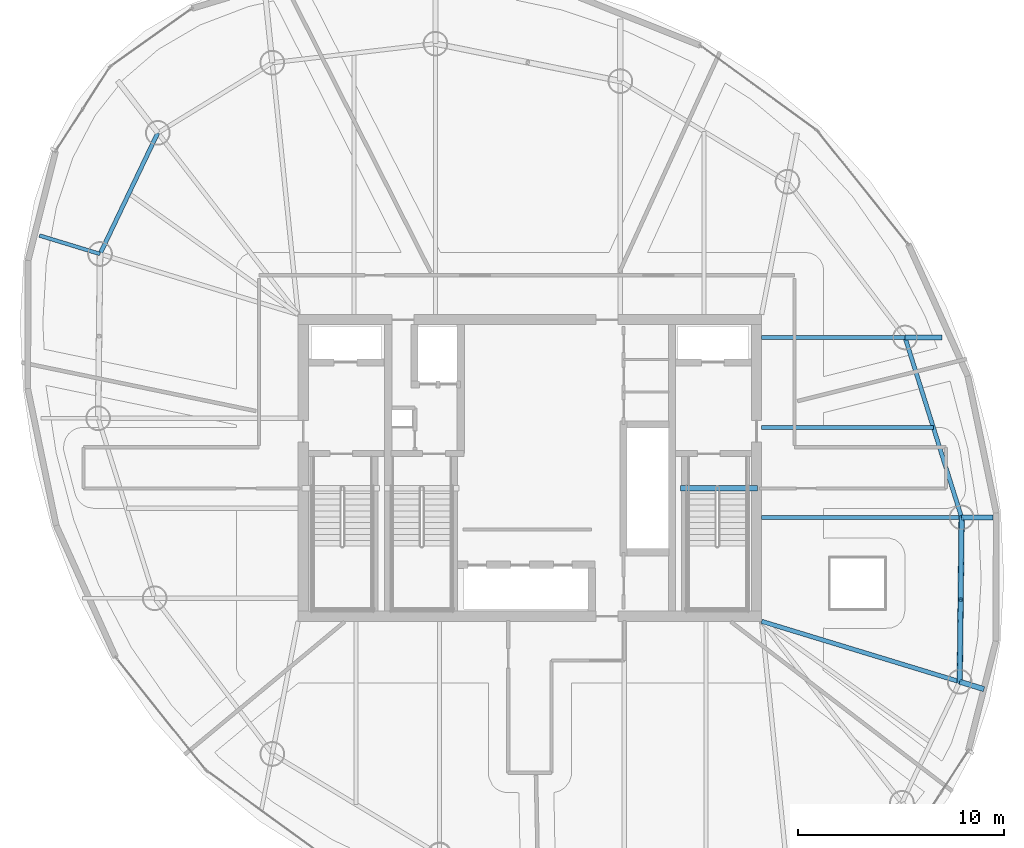
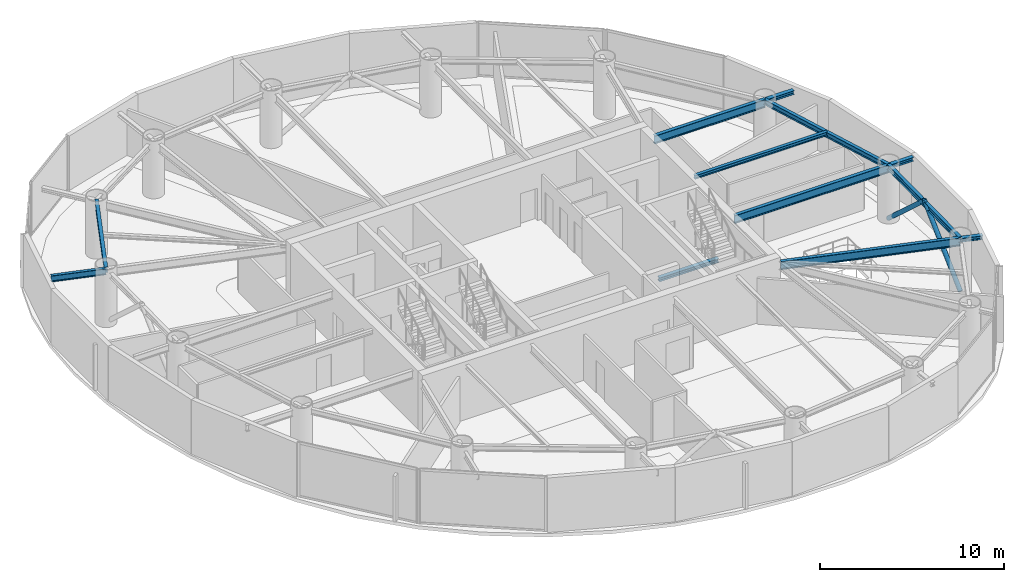
# One storey, part 6 of 18: 12 beams, 2 members.
"""IFC4 building model written with IfcOpenShell, lengths in metres."""

from ifc_helpers import new_model, si_unit, direction, frame, origin, origin_2d, place, context, subcontext, project, spatial, hollow_circle, i_section, extrude, material, material_profile, profile_set, type_object, element, save


model = new_model("IFC4")

# Units and contexts
model_context = context("Model", 3, precision=1e-05, world=origin(), true_north=direction((0.0, 1.0)))
body_context = subcontext(model_context, "Body", "Model", "MODEL_VIEW")
ifc_project = project(units=[si_unit("LENGTHUNIT", "METRE"), si_unit("AREAUNIT", "SQUARE_METRE"), si_unit("VOLUMEUNIT", "CUBIC_METRE"), si_unit("PLANEANGLEUNIT", "RADIAN"), si_unit("MASSUNIT", "GRAM", prefix="KILO")], contexts=[model_context])

# Site, building, storey
site_placement = place(None, origin())
site = spatial("IfcSite", under=ifc_project, at=site_placement, CompositionType="ELEMENT")
building_placement = place(site_placement, origin())
building = spatial("IfcBuilding", under=site, at=building_placement, Name="Bramvorn Convention Spire", CompositionType="ELEMENT")
storey_placement = place(building_placement, frame((0.0, 0.0, 205.85009765625)))
storey = spatial("IfcBuildingStorey", under=building, at=storey_placement, Name="L52", CompositionType="ELEMENT", Elevation=205.85009765625)

# Beams
ifc_material = material(Name="Steel CSA G40.21 Grade 350 (350W)", Category="steel")
ifc_material_profile_1 = material_profile(ifc_material, i_section(OverallWidth=0.201904296875, OverallDepth=0.2470703125, WebThickness=0.00732421875, FlangeThickness=0.010986328125, FilletRadius=0.011962890625, at=origin_2d()))
ifc_profile_set_1 = profile_set([ifc_material_profile_1], Name="Steel CSA G40.21 Grade 350 (350W) - W250X49")
beam_type_1 = type_object("IfcBeamType", Name="BM-W250X49", PredefinedType="JOIST", material=ifc_profile_set_1)
beam_1_placement = place(storey_placement, frame((49.25, 27.960205078125, 3.496337890625), z_axis=(1.0, 0.0, 0.0), x_axis=(0.0, 1.0, 0.0)))
element("IfcBeam", 1, at=beam_1_placement, inside=storey, type_object=beam_type_1, Name="L52 composite floor joist 03", PredefinedType="JOIST", context=body_context, shape_type="SweptSolid", body=[
    extrude(i_section(OverallWidth=0.201904296875, OverallDepth=0.2470703125, WebThickness=0.00732421875, FlangeThickness=0.010986328125, FilletRadius=0.011962890625, at=origin_2d()), origin(), (0.0, 0.0, 1.0), 8.33251953125),
])
ifc_material_profile_2 = material_profile(ifc_material, i_section(OverallWidth=0.25390625, OverallDepth=0.2529296875, WebThickness=0.008544921875, FlangeThickness=0.01416015625, FilletRadius=0.011962890625, at=origin_2d()))
ifc_profile_set_2 = profile_set([ifc_material_profile_2], Name="Steel CSA G40.21 Grade 350 (350W) - W250X73")
beam_type_2 = type_object("IfcBeamType", Name="BM-W250X73", PredefinedType="BEAM", material=ifc_profile_set_2)
beam_2_placement = place(storey_placement, frame((58.863037109375, 15.619384765625, 3.45849609375), z_axis=(0.956585053272, -0.29145331677, 0.0), x_axis=(0.29145331677, 0.956585053272, 0.0)))
element("IfcBeam", 2, at=beam_2_placement, inside=storey, type_object=beam_type_2, Name="L52 slab-edge cantilever tip beam MC02", PredefinedType="BEAM", context=body_context, shape_type="SweptSolid", body=[
    extrude(i_section(OverallWidth=0.25390625, OverallDepth=0.2529296875, WebThickness=0.008544921875, FlangeThickness=0.01416015625, FilletRadius=0.011962890625, at=origin_2d()), origin(), (0.0, 0.0, 1.0), 1.232177734375),
])
beam_3_placement = place(storey_placement, frame((58.95458984375, 23.593505859375, 3.45849609375), z_axis=(1.0, 0.0, 0.0), x_axis=(0.0, 1.0, 0.0)))
element("IfcBeam", 3, at=beam_3_placement, inside=storey, type_object=beam_type_2, Name="L52 slab-edge cantilever tip beam MC03", PredefinedType="BEAM", context=body_context, shape_type="SweptSolid", body=[
    extrude(i_section(OverallWidth=0.25390625, OverallDepth=0.2529296875, WebThickness=0.008544921875, FlangeThickness=0.01416015625, FilletRadius=0.011962890625, at=origin_2d()), origin(), (0.0, 0.0, 1.0), 1.512939453125),
])
beam_4_placement = place(storey_placement, frame((56.21044921875, 32.327392578125, 3.45849609375), z_axis=(1.0, 0.0, 0.0), x_axis=(0.0, 1.0, 0.0)))
element("IfcBeam", 4, at=beam_4_placement, inside=storey, type_object=beam_type_2, Name="L52 slab-edge cantilever tip beam MC04", PredefinedType="BEAM", context=body_context, shape_type="SweptSolid", body=[
    extrude(i_section(OverallWidth=0.25390625, OverallDepth=0.2529296875, WebThickness=0.008544921875, FlangeThickness=0.01416015625, FilletRadius=0.011962890625, at=origin_2d()), origin(), (0.0, 0.0, 1.0), 1.79443359375),
])
beam_5_placement = place(storey_placement, frame((45.31005859375, 25.010009765625, -0.126708984375), z_axis=(1.0, 0.0, 0.0), x_axis=(0.0, 1.0, 0.0)))
element("IfcBeam", 5, at=beam_5_placement, inside=storey, type_object=beam_type_2, Name="L52 ST2 stair arrival header beam", PredefinedType="BEAM", context=body_context, shape_type="SweptSolid", body=[
    extrude(i_section(OverallWidth=0.25390625, OverallDepth=0.2529296875, WebThickness=0.008544921875, FlangeThickness=0.01416015625, FilletRadius=0.011962890625, at=origin_2d()), origin(), (0.0, 0.0, 1.0), 3.739990234375),
])
ifc_material_profile_3 = material_profile(ifc_material, i_section(OverallWidth=0.205078125, OverallDepth=0.35400390625, WebThickness=0.009521484375, FlangeThickness=0.016845703125, FilletRadius=0.014892578125, at=origin_2d()))
ifc_profile_set_3 = profile_set([ifc_material_profile_3], Name="Steel CSA G40.21 Grade 350 (350W) - W360X79")
beam_type_3 = type_object("IfcBeamType", Name="BM-W360X79", PredefinedType="JOIST", material=ifc_profile_set_3)
beam_6_placement = place(storey_placement, frame((58.863037109375, 15.619384765625, 3.44287109375), z_axis=(0.011480475367, 0.999934097171, 0.0), x_axis=(-0.999934097171, 0.011480475367, 0.0)))
element("IfcBeam", 6, at=beam_6_placement, inside=storey, type_object=beam_type_3, Name="L52 mega-column ring beam 02", PredefinedType="JOIST", context=body_context, shape_type="SweptSolid", body=[
    extrude(i_section(OverallWidth=0.205078125, OverallDepth=0.35400390625, WebThickness=0.009521484375, FlangeThickness=0.016845703125, FilletRadius=0.014892578125, at=origin_2d()), origin(), (0.0, 0.0, 1.0), 7.974609375),
])
beam_7_placement = place(storey_placement, frame((58.95458984375, 23.593505859375, 3.44287109375), z_axis=(-0.299747542929, 0.954018558786, 0.0), x_axis=(-0.954018558786, -0.299747542929, 0.0)))
element("IfcBeam", 7, at=beam_7_placement, inside=storey, type_object=beam_type_3, Name="L52 mega-column ring beam 03", PredefinedType="JOIST", context=body_context, shape_type="SweptSolid", body=[
    extrude(i_section(OverallWidth=0.205078125, OverallDepth=0.35400390625, WebThickness=0.009521484375, FlangeThickness=0.016845703125, FilletRadius=0.014892578125, at=origin_2d()), origin(), (0.0, 0.0, 1.0), 9.15478515625),
])
beam_8_placement = place(storey_placement, frame((19.941650390625, 42.260009765625, 3.44287109375), z_axis=(-0.430556138422, -0.902563799223, 0.0), x_axis=(0.902563799223, -0.430556138422, 0.0)))
element("IfcBeam", 8, at=beam_8_placement, inside=storey, type_object=beam_type_3, Name="L52 mega-column ring beam 09", PredefinedType="JOIST", context=body_context, shape_type="SweptSolid", body=[
    extrude(i_section(OverallWidth=0.205078125, OverallDepth=0.35400390625, WebThickness=0.009521484375, FlangeThickness=0.016845703125, FilletRadius=0.014892578125, at=origin_2d()), origin(), (0.0, 0.0, 1.0), 6.51416015625),
])
ifc_material_profile_4 = material_profile(ifc_material, i_section(OverallWidth=0.180908203125, OverallDepth=0.4169921875, WebThickness=0.010986328125, FlangeThickness=0.018310546875, FilletRadius=0.01611328125, at=origin_2d()))
ifc_profile_set_4 = profile_set([ifc_material_profile_4], Name="Steel CSA G40.21 Grade 350 (350W) - W410X85")
beam_type_4 = type_object("IfcBeamType", Name="BM-W410X85", PredefinedType="JOIST", material=ifc_profile_set_4)
beam_9_placement = place(storey_placement, frame((17.136962890625, 36.380615234375, 3.37646484375), z_axis=(-0.956553567226, 0.291556637769, 0.0), x_axis=(-0.291556637769, -0.956553567226, 0.0)))
element("IfcBeam", 9, at=beam_9_placement, inside=storey, type_object=beam_type_4, Name="L52 Sky-Garden cantilever tip girder MC10", PredefinedType="JOIST", context=body_context, shape_type="SweptSolid", body=[
    extrude(i_section(OverallWidth=0.180908203125, OverallDepth=0.4169921875, WebThickness=0.010986328125, FlangeThickness=0.018310546875, FilletRadius=0.01611328125, at=origin_2d()), origin(), (0.0, 0.0, 1.0), 3.073974609375),
])
ifc_material_profile_5 = material_profile(ifc_material, i_section(OverallWidth=0.2119140625, OverallDepth=0.5439453125, WebThickness=0.01318359375, FlangeThickness=0.021240234375, FilletRadius=0.01904296875, at=origin_2d()))
ifc_profile_set_5 = profile_set([ifc_material_profile_5], Name="Steel CSA G40.21 Grade 350 (350W) - W530X123")
beam_type_5 = type_object("IfcBeamType", Name="BM-W530X123", PredefinedType="BEAM", material=ifc_profile_set_5)
beam_10_placement = place(storey_placement, frame((49.25, 18.550048828125, 3.347900390625), z_axis=(0.95653637984, -0.291613021044, 0.0), x_axis=(0.291613021044, 0.95653637984, 0.0)))
element("IfcBeam", 10, at=beam_10_placement, inside=storey, type_object=beam_type_5, Name="L52 radial floor girder MC02", PredefinedType="BEAM", context=body_context, shape_type="SweptSolid", body=[
    extrude(i_section(OverallWidth=0.2119140625, OverallDepth=0.5439453125, WebThickness=0.01318359375, FlangeThickness=0.021240234375, FilletRadius=0.01904296875, at=origin_2d()), origin(), (0.0, 0.0, 1.0), 10.0498046875),
])
beam_11_placement = place(storey_placement, frame((49.25, 23.593505859375, 3.347900390625), z_axis=(1.0, 0.0, 0.0), x_axis=(0.0, 1.0, 0.0)))
element("IfcBeam", 11, at=beam_11_placement, inside=storey, type_object=beam_type_5, Name="L52 radial floor girder MC03", PredefinedType="BEAM", context=body_context, shape_type="SweptSolid", body=[
    extrude(i_section(OverallWidth=0.2119140625, OverallDepth=0.5439453125, WebThickness=0.01318359375, FlangeThickness=0.021240234375, FilletRadius=0.01904296875, at=origin_2d()), origin(), (0.0, 0.0, 1.0), 9.70458984375),
])
beam_12_placement = place(storey_placement, frame((49.25, 32.327392578125, 3.347900390625), z_axis=(1.0, 0.0, 0.0), x_axis=(0.0, 1.0, 0.0)))
element("IfcBeam", 12, at=beam_12_placement, inside=storey, type_object=beam_type_5, Name="L52 radial floor girder MC04", PredefinedType="BEAM", context=body_context, shape_type="SweptSolid", body=[
    extrude(i_section(OverallWidth=0.2119140625, OverallDepth=0.5439453125, WebThickness=0.01318359375, FlangeThickness=0.021240234375, FilletRadius=0.01904296875, at=origin_2d()), origin(), (0.0, 0.0, 1.0), 6.96044921875),
])

# Members
ifc_material_profile_6 = material_profile(ifc_material, hollow_circle(Radius=0.136474609375, WallThickness=0.0126953125, at=origin_2d()))
ifc_profile_set_6 = profile_set([ifc_material_profile_6], Name="Steel CSA G40.21 Grade 350 (350W) - CHS273X13")
member_type = type_object("IfcMemberType", Name="MBR-CHS273X13", PredefinedType="BRACE", material=ifc_profile_set_6)
for number, where, z_axis, x_axis, name in (
    (13, (58.863037109375, 15.619384765625, 0.0), (0.008522796819, 0.740349972651, 0.672167598096), (-0.999933745256, 0.011511085917, 0.0), "L52 perimeter Gothic lancet brace 2A"),
    (14, (58.95458984375, 23.593505859375, 0.0), (-0.008477466061, -0.740350257942, 0.672167857112), (0.99993444815, -0.011449864785, 0.0), "L52 perimeter Gothic lancet brace 2B"),
):
    element("IfcMember", number, at=place(storey_placement, frame(where, z_axis=z_axis, x_axis=x_axis)), inside=storey, type_object=member_type, Name=name, PredefinedType="BRACE", context=body_context, shape_type="SweptSolid", body=[
        extrude(hollow_circle(Radius=0.136474609375, WallThickness=0.0126953125, at=origin_2d()), origin(), (0.0, 0.0, 1.0), 5.38525390625),
    ])

save(model, "model.ifc")
